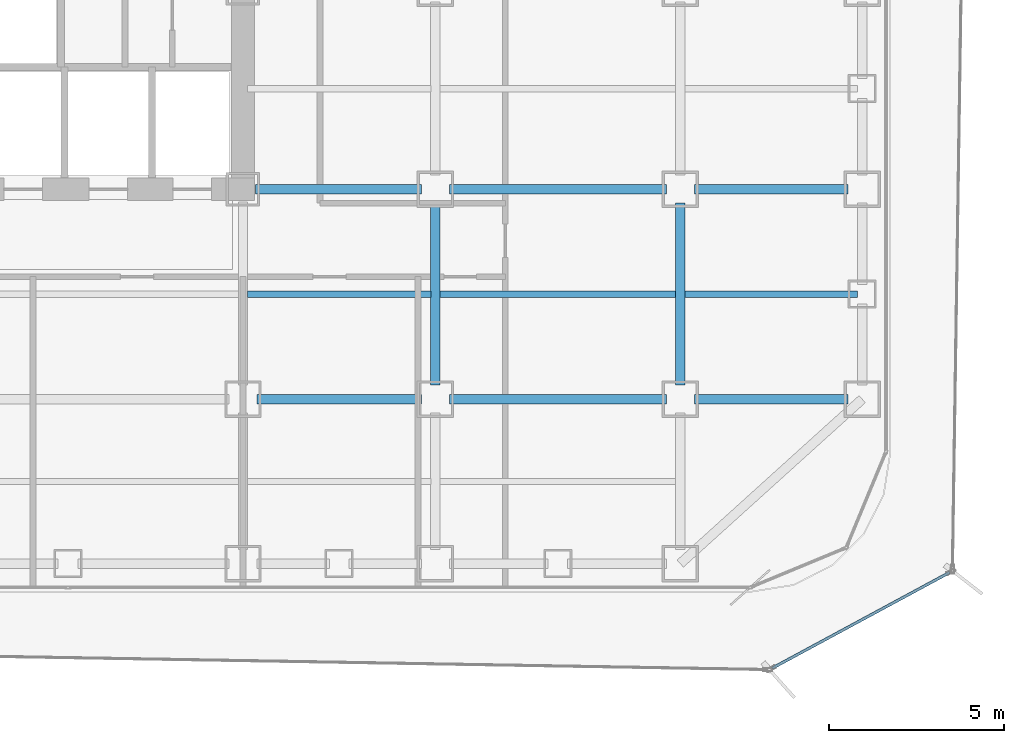
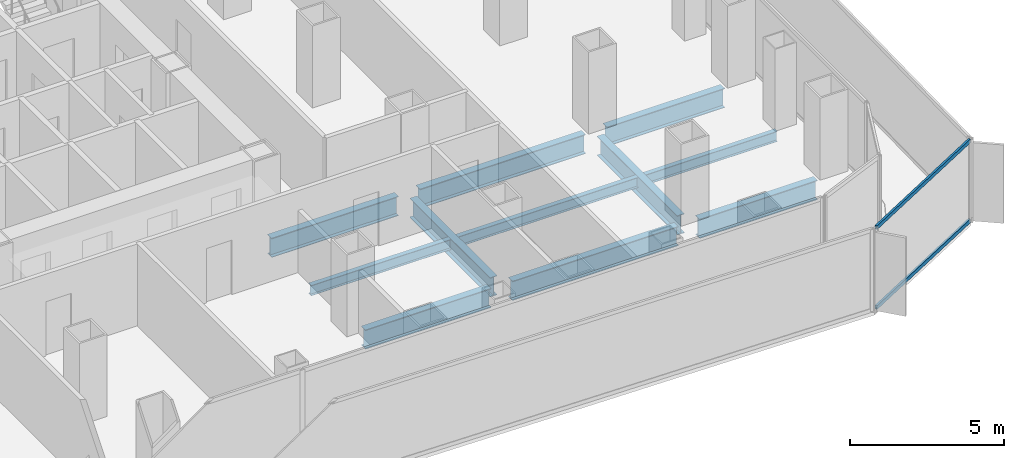
# One storey, part 7 of 22: 11 beams, 2 members, 1 element without a shape of its own.
"""IFC4 building model written with IfcOpenShell, lengths in metres."""

import ifcopenshell
import ifcopenshell.guid

model = None  # the IFC model being written
_history = None  # IfcOwnerHistory: only IFC2X3 demands one
_inside = {}  # id of a spatial element -> (the spatial element, [elements in it])
_under = {}  # id of a project, library or spatial element -> (it, [spatial elements below it])
_declared = {}  # id of a project -> (the project, [libraries it declares])
_typed = {}  # id of a type object -> (the type object, [elements of that type])
_made_of = {}  # id of a material, layer set ... -> (it, [elements and type objects made of it])


def new_model(schema):
    """Start an empty IFC model of exactly this schema.

    Asked for "IFC4X3", IfcOpenShell would pick the latest addendum, in which some entities
    have other attributes; the version numbers below select the first issue.
    IFC2X3 requires an IfcOwnerHistory on every rooted entity: one is made here for all.
    """
    global model, _history
    if schema == "IFC4X3":
        model = ifcopenshell.file(schema_version=(4, 3, 0, 0))
    else:
        model = ifcopenshell.file(schema=schema)
    _inside.clear()
    _under.clear()
    _declared.clear()
    _typed.clear()
    _made_of.clear()
    _history = None
    if model.schema == "IFC2X3":
        org = make("IfcOrganization", Name="unknown")
        user = make(
            "IfcPersonAndOrganization",
            ThePerson=make("IfcPerson", FamilyName="unknown"),
            TheOrganization=org,
        )
        app = make(
            "IfcApplication",
            ApplicationDeveloper=org,
            Version="unknown",
            ApplicationFullName="unknown",
            ApplicationIdentifier="unknown",
        )
        _history = make(
            "IfcOwnerHistory",
            OwningUser=user,
            OwningApplication=app,
            ChangeAction="ADDED",
            CreationDate=0,
        )
    return model


def make(cls, **values):
    """One entity of the class cls with the attributes given. An attribute that is None is left unset."""
    return model.create_entity(
        cls, **{name: value for name, value in values.items() if value is not None}
    )


def rooted(cls, **values):
    """An entity with a GlobalId (a new one), such as an element, a storey or a relation."""
    return make(cls, GlobalId=ifcopenshell.guid.new(), OwnerHistory=_history, **values)


def si_unit(unit_type, name, prefix=None):
    """IfcSIUnit, for example si_unit("LENGTHUNIT", "METRE", prefix="MILLI")."""
    return make("IfcSIUnit", UnitType=unit_type, Prefix=prefix, Name=name)


def assignment(units):
    """IfcUnitAssignment: the units of a project."""
    return None if units is None else make("IfcUnitAssignment", Units=units)


def point(xyz):
    """IfcCartesianPoint."""
    return None if xyz is None else make("IfcCartesianPoint", Coordinates=xyz)


def direction(xyz):
    """IfcDirection."""
    return None if xyz is None else make("IfcDirection", DirectionRatios=xyz)


def frame(location, z_axis=None, x_axis=None):
    """IfcAxis2Placement3D, a coordinate frame: its origin and axes. An axis left out is left unset."""
    return make(
        "IfcAxis2Placement3D",
        Location=point(location),
        Axis=direction(z_axis),
        RefDirection=direction(x_axis),
    )


def frame_2d(location, x_axis=None):
    """IfcAxis2Placement2D, a coordinate frame in the plane: its origin and x axis."""
    return make(
        "IfcAxis2Placement2D", Location=point(location), RefDirection=direction(x_axis)
    )


def origin():
    """The frame at (0, 0, 0) with its axes left unset."""
    return frame((0.0, 0.0, 0.0))


def origin_2d():
    """The frame at (0, 0) in the plane with its x axis left unset."""
    return frame_2d((0.0, 0.0))


def place(relative_to, where):
    """IfcLocalPlacement: puts the frame where relative to a parent placement (None: the world)."""
    return make(
        "IfcLocalPlacement", PlacementRelTo=relative_to, RelativePlacement=where
    )


def context(
    kind, dimensions, precision=None, world=None, true_north=None, identifier=None
):
    """IfcGeometricRepresentationContext, for example the 3D "Model" context."""
    return make(
        "IfcGeometricRepresentationContext",
        ContextIdentifier=identifier,
        ContextType=kind,
        CoordinateSpaceDimension=dimensions,
        Precision=precision,
        WorldCoordinateSystem=world,
        TrueNorth=true_north,
    )


def subcontext(parent, identifier, kind, view, scale=None):
    """IfcGeometricRepresentationSubContext, for example "Body" below "Model"."""
    return make(
        "IfcGeometricRepresentationSubContext",
        ContextIdentifier=identifier,
        ContextType=kind,
        ParentContext=parent,
        TargetScale=scale,
        TargetView=view,
    )


def project(units=None, contexts=None):
    """IfcProject with its units and contexts."""
    return rooted(
        "IfcProject",
        Name="project",
        RepresentationContexts=contexts,
        UnitsInContext=assignment(units),
    )


def spatial(cls, under=None, at=None, **own):
    """A site, building, storey or space (cls), placed at a placement, below another one or the project."""
    s = rooted(cls, ObjectPlacement=at, **own)
    if under is not None:
        _under.setdefault(under.id(), (under, []))[1].append(s)
    return s


def profile(cls, at=None, kind="AREA", **sizes):
    """A parametric profile (cls). Its sizes go by their IFC names, for example OverallWidth=200.0."""
    return make(cls, ProfileType=kind, Position=at, **sizes)


def hollow_rectangle(**sizes):
    """IfcRectangleHollowProfileDef."""
    return profile("IfcRectangleHollowProfileDef", **sizes)


def i_section(**sizes):
    """IfcIShapeProfileDef."""
    return profile("IfcIShapeProfileDef", **sizes)


def extrude(swept, where, along, depth):
    """IfcExtrudedAreaSolid: the profile swept, set in the frame where, extruded along a direction by depth."""
    return make(
        "IfcExtrudedAreaSolid",
        SweptArea=swept,
        Position=where,
        ExtrudedDirection=direction(along),
        Depth=depth,
    )


def shape(context_of_items, identifier, shape_type, items):
    """IfcShapeRepresentation: the items that make up one representation, for example the "Body"."""
    return make(
        "IfcShapeRepresentation",
        ContextOfItems=context_of_items,
        RepresentationIdentifier=identifier,
        RepresentationType=shape_type,
        Items=items,
    )


def source(mapping_origin, context_of_items, identifier, shape_type, items):
    """IfcRepresentationMap: a shape defined once, which mapped items show again and again."""
    return make(
        "IfcRepresentationMap",
        MappingOrigin=mapping_origin,
        MappedRepresentation=shape(context_of_items, identifier, shape_type, items),
    )


def transform(
    local_origin,
    x_axis=None,
    y_axis=None,
    z_axis=None,
    scale=None,
    scale2=None,
    scale3=None,
    uniform=True,
):
    """IfcCartesianTransformationOperator3D, or its non-uniform kind. x_axis, y_axis, z_axis: its Axis1, 2, 3."""
    if uniform:
        return make(
            "IfcCartesianTransformationOperator3D",
            Axis1=direction(x_axis),
            Axis2=direction(y_axis),
            LocalOrigin=point(local_origin),
            Scale=scale,
            Axis3=direction(z_axis),
        )
    return make(
        "IfcCartesianTransformationOperator3DnonUniform",
        Axis1=direction(x_axis),
        Axis2=direction(y_axis),
        LocalOrigin=point(local_origin),
        Scale=scale,
        Axis3=direction(z_axis),
        Scale2=scale2,
        Scale3=scale3,
    )


def mapped(mapping_source, mapping_target):
    """IfcMappedItem: shows the shape of a source again, moved by a transform."""
    return make(
        "IfcMappedItem", MappingSource=mapping_source, MappingTarget=mapping_target
    )


def material(Name=None, Category=None):
    """IfcMaterial."""
    return make("IfcMaterial", Name=Name, Category=Category)


def layer(
    of_material, thickness, ventilated=None, Name=None, Category=None, Priority=None
):
    """IfcMaterialLayer: one layer of a wall or slab, of a material (None: an air gap)."""
    return make(
        "IfcMaterialLayer",
        Material=of_material,
        LayerThickness=thickness,
        IsVentilated=ventilated,
        Name=Name,
        Category=Category,
        Priority=Priority,
    )


def layer_set(layers, Name=None):
    """IfcMaterialLayerSet."""
    return make("IfcMaterialLayerSet", MaterialLayers=layers, LayerSetName=Name)


def material_profile(
    of_material, cross_section, Name=None, Category=None, Priority=None
):
    """IfcMaterialProfile: a cross section and its material."""
    return make(
        "IfcMaterialProfile",
        Name=Name,
        Material=of_material,
        Profile=cross_section,
        Priority=Priority,
        Category=Category,
    )


def profile_set(profiles, Name=None, composite=None):
    """IfcMaterialProfileSet."""
    return make(
        "IfcMaterialProfileSet",
        Name=Name,
        MaterialProfiles=profiles,
        CompositeProfile=composite,
    )


def made_of(thing, what):
    """Note that an element or type object is made of a material, layer set ...; save() writes the relation."""
    if what is not None:
        _made_of.setdefault(what.id(), (what, []))[1].append(thing)
    return thing


def type_object(cls, material=None, **own):
    """A type object (cls), such as IfcWallType, which elements share."""
    return made_of(rooted(cls, **own), material)


def element(
    cls,
    number,
    at=None,
    inside=None,
    cuts=None,
    type_object=None,
    material=None,
    context=None,
    identifier="Body",
    shape_type=None,
    held_by="IfcProductDefinitionShape",
    body=None,
    shapes=None,
    **own,
):
    """One element of the class cls, such as IfcWall. Its Tag is "e" and its number.

    at: its placement. inside: the storey or other place that contains it. cuts: it is an
    opening in that element (IfcRelVoidsElement). A single representation is given by context,
    identifier, shape_type and body (its items); several are given by shapes. held_by: the class
    of the entity that holds the representations. save() writes the other relations.
    """
    e = rooted(cls, Tag="e%d" % number, ObjectPlacement=at, **own)
    if body is not None:
        shapes = [shape(context, identifier, shape_type, body)]
    if shapes is not None:
        e.Representation = make(held_by, Representations=shapes)
    if inside is not None:
        _inside.setdefault(inside.id(), (inside, []))[1].append(e)
    if cuts is not None:
        rooted(
            "IfcRelVoidsElement", RelatingBuildingElement=cuts, RelatedOpeningElement=e
        )
    if type_object is not None:
        _typed.setdefault(type_object.id(), (type_object, []))[1].append(e)
    return made_of(e, material)


def aggregate(whole, parts):
    """IfcRelAggregates: a whole, such as a stair, and the parts it consists of."""
    return rooted("IfcRelAggregates", RelatingObject=whole, RelatedObjects=parts)


def save(model, path):
    """Write the relations noted so far, then the file.

    IfcRelAggregates (storeys below a building ...), IfcRelContainedInSpatialStructure (elements
    in a storey), IfcRelDefinesByType, IfcRelAssociatesMaterial and IfcRelDeclares: one each for
    every whole, place, type object, material and project.
    """
    for whole, parts in _under.values():
        aggregate(whole, parts)
    for where, things in _inside.values():
        rooted(
            "IfcRelContainedInSpatialStructure",
            RelatedElements=things,
            RelatingStructure=where,
        )
    for kind, things in _typed.values():
        rooted("IfcRelDefinesByType", RelatedObjects=things, RelatingType=kind)
    for what, things in _made_of.values():
        rooted("IfcRelAssociatesMaterial", RelatedObjects=things, RelatingMaterial=what)
    for by, libraries in _declared.values():
        rooted("IfcRelDeclares", RelatingContext=by, RelatedDefinitions=libraries)
    model.write(path)


model = new_model("IFC4")

# Units and contexts
model_context = context("Model", 3, precision=1e-05, world=origin(), true_north=direction((0.0, 1.0)))
body_context = subcontext(model_context, "Body", "Model", "MODEL_VIEW")
ifc_project = project(units=[si_unit("LENGTHUNIT", "METRE"), si_unit("AREAUNIT", "SQUARE_METRE"), si_unit("VOLUMEUNIT", "CUBIC_METRE"), si_unit("PLANEANGLEUNIT", "RADIAN"), si_unit("MASSUNIT", "GRAM", prefix="KILO")], contexts=[model_context])

# Site, building, storey
site_placement = place(None, origin())
site = spatial("IfcSite", under=ifc_project, at=site_placement, CompositionType="ELEMENT")
building_placement = place(site_placement, origin())
building = spatial("IfcBuilding", under=site, at=building_placement, Name="Kolveth Station Tower", CompositionType="ELEMENT")
storey_placement = place(building_placement, frame((0.0, 0.0, 72.89990234375)))
storey = spatial("IfcBuildingStorey", under=building, at=storey_placement, Name="L19", CompositionType="ELEMENT", Elevation=72.89990234375)

# Beams
ifc_material_1 = material(Name="Steel S355", Category="steel")
ifc_material_profile_1 = material_profile(ifc_material_1, i_section(OverallWidth=0.26708984375, OverallDepth=0.76611328125, WebThickness=0.014892578125, FlangeThickness=0.023681640625, at=origin_2d()), Name="W760x185")
ifc_profile_set_1 = profile_set([ifc_material_profile_1], Name="Steel S355")
beam_type_1 = type_object("IfcBeamType", Name="Beam_B3", PredefinedType="BEAM", material=ifc_profile_set_1)
shared_shape_1 = source(origin(), body_context, "Body", "SweptSolid", [
    extrude(i_section(OverallWidth=0.26708984375, OverallDepth=0.76611328125, WebThickness=0.014892578125, FlangeThickness=0.023681640625, at=origin_2d()), origin(), (0.0, 0.0, 1.0), 4.400146484375),
])
for number, where, z_axis, x_axis, name in (
    (1, (41.39990234375, 5.5, -0.662841796875), (1.0, 0.0, 0.0), (0.0, 1.0, 0.0), "L19 Primary Girder BM-L19-GY55-7"),
    (2, (41.39990234375, 11.5, -0.662841796875), (1.0, 0.0, 0.0), (0.0, 1.0, 0.0), "L19 Primary Girder BM-L19-GY115-7"),
):
    element("IfcBeam", number, at=place(storey_placement, frame(where, z_axis=z_axis, x_axis=x_axis)), inside=storey, type_object=beam_type_1, Name=name, PredefinedType="BEAM", context=body_context, shape_type="MappedRepresentation", body=[
        mapped(shared_shape_1, transform((0.0, 0.0, 0.0), x_axis=(1.0, 0.0, 0.0), y_axis=(0.0, 1.0, 0.0), z_axis=(0.0, 0.0, 1.0), scale=1.0)),
    ])
shared_shape_2 = source(origin(), body_context, "Body", "SweptSolid", [
    extrude(i_section(OverallWidth=0.26708984375, OverallDepth=0.76611328125, WebThickness=0.014892578125, FlangeThickness=0.023681640625, at=origin_2d()), origin(), (0.0, 0.0, 1.0), 6.2001953125),
])
for number, where, z_axis, x_axis, name in (
    (3, (34.39990234375, 5.5, -0.662841796875), (1.0, 0.0, 0.0), (0.0, 1.0, 0.0), "L19 Primary Girder BM-L19-GY55-6"),
    (4, (34.39990234375, 11.5, -0.662841796875), (1.0, 0.0, 0.0), (0.0, 1.0, 0.0), "L19 Primary Girder BM-L19-GY115-6"),
):
    element("IfcBeam", number, at=place(storey_placement, frame(where, z_axis=z_axis, x_axis=x_axis)), inside=storey, type_object=beam_type_1, Name=name, PredefinedType="BEAM", context=body_context, shape_type="MappedRepresentation", body=[
        mapped(shared_shape_2, transform((0.0, 0.0, 0.0), x_axis=(1.0, 0.0, 0.0), y_axis=(0.0, 1.0, 0.0), z_axis=(0.0, 0.0, 1.0), scale=1.0)),
    ])
shared_shape_3 = source(origin(), body_context, "Body", "SweptSolid", [
    extrude(i_section(OverallWidth=0.26708984375, OverallDepth=0.76611328125, WebThickness=0.014892578125, FlangeThickness=0.023681640625, at=origin_2d()), origin(), (0.0, 0.0, 1.0), 4.7001953125),
])
beam_1_placement = place(storey_placement, frame((28.89990234375, 5.5, -0.662841796875), z_axis=(1.0, 0.0, 0.0), x_axis=(0.0, 1.0, 0.0)))
element("IfcBeam", 5, at=beam_1_placement, inside=storey, type_object=beam_type_1, Name="L19 Primary Girder BM-L19-GY55-5", PredefinedType="BEAM", context=body_context, shape_type="MappedRepresentation", body=[
    mapped(shared_shape_3, transform((0.0, 0.0, 0.0), x_axis=(1.0, 0.0, 0.0), y_axis=(0.0, 1.0, 0.0), z_axis=(0.0, 0.0, 1.0), scale=1.0)),
])
shared_shape_4 = source(origin(), body_context, "Body", "SweptSolid", [
    extrude(i_section(OverallWidth=0.26708984375, OverallDepth=0.76611328125, WebThickness=0.014892578125, FlangeThickness=0.023681640625, at=origin_2d()), origin(), (0.0, 0.0, 1.0), 4.739990234375),
])
beam_2_placement = place(storey_placement, frame((28.860107421875, 11.5, -0.662841796875), z_axis=(1.0, 0.0, 0.0), x_axis=(0.0, 1.0, 0.0)))
element("IfcBeam", 6, at=beam_2_placement, inside=storey, type_object=beam_type_1, Name="L19 Primary Girder BM-L19-GY115-5", PredefinedType="BEAM", context=body_context, shape_type="MappedRepresentation", body=[
    mapped(shared_shape_4, transform((0.0, 0.0, 0.0), x_axis=(1.0, 0.0, 0.0), y_axis=(0.0, 1.0, 0.0), z_axis=(0.0, 0.0, 1.0), scale=1.0)),
])
shared_shape_5 = source(origin(), body_context, "Body", "SweptSolid", [
    extrude(i_section(OverallWidth=0.26708984375, OverallDepth=0.76611328125, WebThickness=0.014892578125, FlangeThickness=0.023681640625, at=origin_2d()), origin(), (0.0, 0.0, 1.0), 5.2001953125),
])
for number, where, z_axis, x_axis, name in (
    (7, (34.0, 5.89990234375, -0.662841796875), (0.0, 1.0, 0.0), (-1.0, 0.0, 0.0), "L19 Primary Girder BM-L19-GX340-2"),
    (8, (41.0, 5.89990234375, -0.662841796875), (0.0, 1.0, 0.0), (-1.0, 0.0, 0.0), "L19 Primary Girder BM-L19-GX410-2"),
):
    element("IfcBeam", number, at=place(storey_placement, frame(where, z_axis=z_axis, x_axis=x_axis)), inside=storey, type_object=beam_type_1, Name=name, PredefinedType="BEAM", context=body_context, shape_type="MappedRepresentation", body=[
        mapped(shared_shape_5, transform((0.0, 0.0, 0.0), x_axis=(1.0, 0.0, 0.0), y_axis=(0.0, 1.0, 0.0), z_axis=(0.0, 0.0, 1.0), scale=1.0)),
    ])
ifc_material_profile_2 = material_profile(ifc_material_1, i_section(OverallWidth=0.177978515625, OverallDepth=0.406982421875, WebThickness=0.0078125, FlangeThickness=0.0126953125, at=origin_2d()), Name="W410x60")
ifc_profile_set_2 = profile_set([ifc_material_profile_2], Name="Steel S355")
beam_type_2 = type_object("IfcBeamType", Name="Beam_J1", PredefinedType="JOIST", material=ifc_profile_set_2)
shared_shape_6 = source(origin(), body_context, "Body", "SweptSolid", [
    extrude(i_section(OverallWidth=0.177978515625, OverallDepth=0.406982421875, WebThickness=0.0078125, FlangeThickness=0.0126953125, at=origin_2d()), origin(), (0.0, 0.0, 1.0), 4.935791015625),
])
beam_3_placement = place(storey_placement, frame((41.131591796875, 8.5, -0.4833984375), z_axis=(1.0, 0.0, 0.0), x_axis=(0.0, 1.0, 0.0)))
element("IfcBeam", 9, at=beam_3_placement, inside=storey, type_object=beam_type_2, Name="L19 Secondary Joist JST-L19-7-2", PredefinedType="JOIST", context=body_context, shape_type="MappedRepresentation", body=[
    mapped(shared_shape_6, transform((0.0, 0.0, 0.0), x_axis=(1.0, 0.0, 0.0), y_axis=(0.0, 1.0, 0.0), z_axis=(0.0, 0.0, 1.0), scale=1.0)),
])
shared_shape_7 = source(origin(), body_context, "Body", "SweptSolid", [
    extrude(i_section(OverallWidth=0.177978515625, OverallDepth=0.406982421875, WebThickness=0.0078125, FlangeThickness=0.0126953125, at=origin_2d()), origin(), (0.0, 0.0, 1.0), 6.73681640625),
])
beam_4_placement = place(storey_placement, frame((34.131591796875, 8.5, -0.4833984375), z_axis=(1.0, 0.0, 0.0), x_axis=(0.0, 1.0, 0.0)))
element("IfcBeam", 10, at=beam_4_placement, inside=storey, type_object=beam_type_2, Name="L19 Secondary Joist JST-L19-6-2", PredefinedType="JOIST", context=body_context, shape_type="MappedRepresentation", body=[
    mapped(shared_shape_7, transform((0.0, 0.0, 0.0), x_axis=(1.0, 0.0, 0.0), y_axis=(0.0, 1.0, 0.0), z_axis=(0.0, 0.0, 1.0), scale=1.0)),
])
shared_shape_8 = source(origin(), body_context, "Body", "SweptSolid", [
    extrude(i_section(OverallWidth=0.177978515625, OverallDepth=0.406982421875, WebThickness=0.0078125, FlangeThickness=0.0126953125, at=origin_2d()), origin(), (0.0, 0.0, 1.0), 5.23681640625),
])
beam_5_placement = place(storey_placement, frame((28.631591796875, 8.5, -0.4833984375), z_axis=(1.0, 0.0, 0.0), x_axis=(0.0, 1.0, 0.0)))
element("IfcBeam", 11, at=beam_5_placement, inside=storey, type_object=beam_type_2, Name="L19 Secondary Joist JST-L19-5-2", PredefinedType="JOIST", context=body_context, shape_type="MappedRepresentation", body=[
    mapped(shared_shape_8, transform((0.0, 0.0, 0.0), x_axis=(1.0, 0.0, 0.0), y_axis=(0.0, 1.0, 0.0), z_axis=(0.0, 0.0, 1.0), scale=1.0)),
])

# Curtain wall, members
ifc_material_2 = material(Name="Black anodized aluminium 6063-T6 and dark solar glass", Category="aluminium")
ifc_layer = layer(ifc_material_2, 0.159912109375)
ifc_layer_set = layer_set([ifc_layer], Name="Black anodized aluminium 6063-T6 and dark solar glass")
curtain_wall_type = type_object("IfcCurtainWallType", Name="OUTER SKIN CW-OS", PredefinedType="NOTDEFINED", material=ifc_layer_set)
curtain_wall_placement = place(storey_placement, origin())
curtain_wall = element("IfcCurtainWall", 12, at=curtain_wall_placement, inside=storey, type_object=curtain_wall_type, Name="L19 Outer Ventilated Skin Curtain Wall 1", PredefinedType="NOTDEFINED")
ifc_material_3 = material(Name="Black anodized aluminium 6063-T6", Category="aluminium")
ifc_material_profile_3 = material_profile(ifc_material_3, hollow_rectangle(XDim=0.080078125, YDim=0.14990234375, WallThickness=0.0048828125, at=origin_2d()), Name="ALU-80x150x5")
ifc_profile_set_3 = profile_set([ifc_material_profile_3], Name="Black anodized aluminium 6063-T6")
member_type = type_object("IfcMemberType", Name="Transom_TR-OS", PredefinedType="USERDEFINED", material=ifc_profile_set_3)
shared_shape_9 = source(origin(), body_context, "Body", "SweptSolid", [
    extrude(hollow_rectangle(XDim=0.080078125, YDim=0.14990234375, WallThickness=0.0048828125, at=origin_2d()), origin(), (0.0, 0.0, 1.0), 5.765625),
])
member_1_placement = place(storey_placement, frame((43.62841796875, -2.190185546875, 0.0400390625), z_axis=(0.879998855402, 0.474975804111, 0.0), x_axis=(-0.474975804111, 0.879998855402, 0.0)))
member_1 = element("IfcMember", 13, at=member_1_placement, type_object=member_type, Name="CW-OS transom 1.1", ObjectType="TRANSOM", PredefinedType="USERDEFINED", context=body_context, shape_type="MappedRepresentation", body=[
    mapped(shared_shape_9, transform((0.0, 0.0, 0.0), x_axis=(1.0, 0.0, 0.0), y_axis=(0.0, 1.0, 0.0), z_axis=(0.0, 0.0, 1.0), scale=1.0)),
])
member_2_placement = place(storey_placement, frame((43.62841796875, -2.190185546875, 3.2001953125), z_axis=(0.879998855402, 0.474975804111, 0.0), x_axis=(-0.474975804111, 0.879998855402, 0.0)))
member_2 = element("IfcMember", 14, at=member_2_placement, type_object=member_type, Name="CW-OS transom 1.2", ObjectType="TRANSOM", PredefinedType="USERDEFINED", context=body_context, shape_type="MappedRepresentation", body=[
    mapped(shared_shape_9, transform((0.0, 0.0, 0.0), x_axis=(1.0, 0.0, 0.0), y_axis=(0.0, 1.0, 0.0), z_axis=(0.0, 0.0, 1.0), scale=1.0)),
])
aggregate(curtain_wall, [member_1, member_2])

save(model, "model.ifc")
